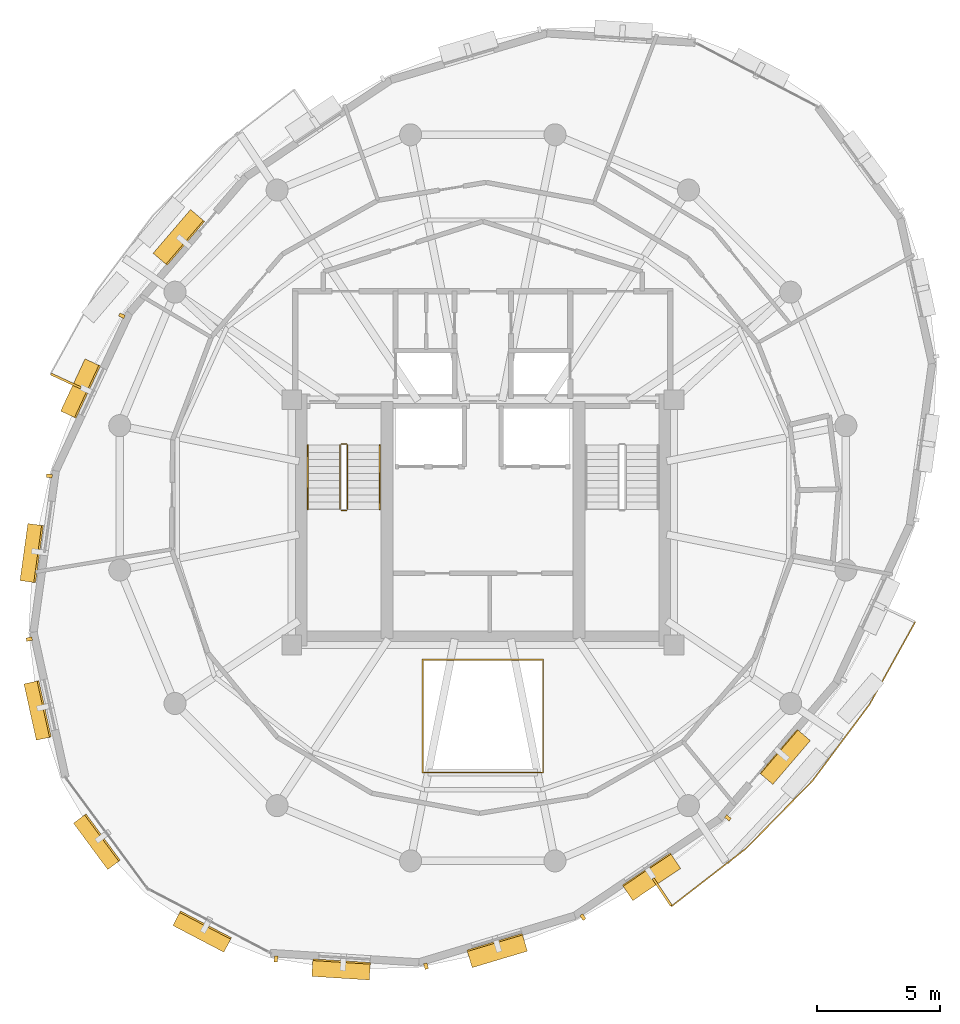
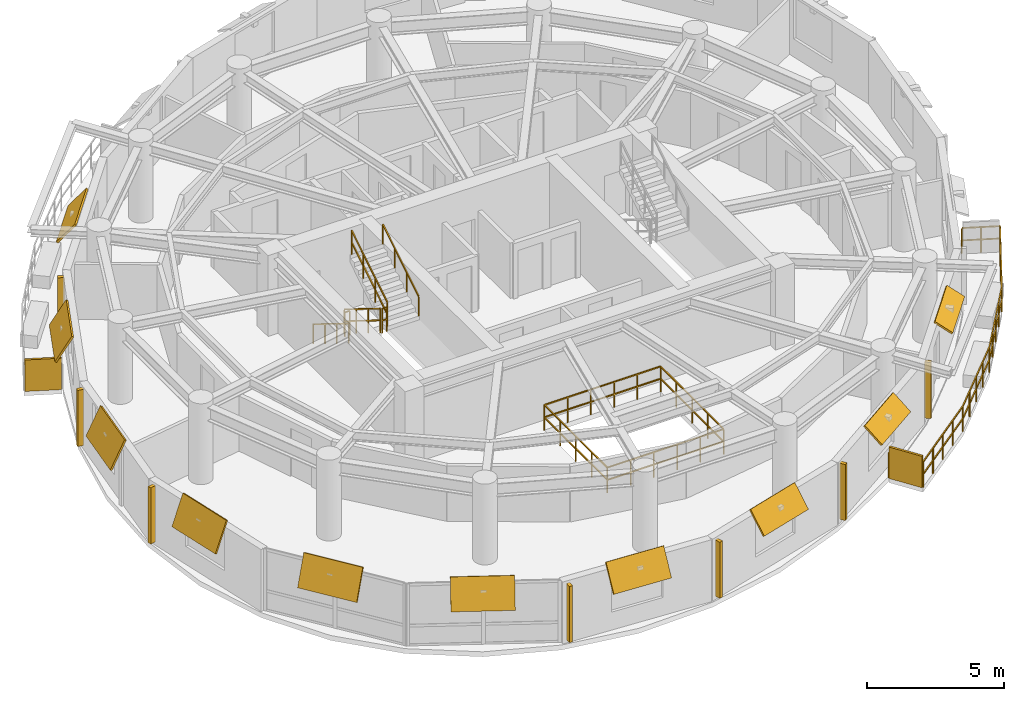
# One storey, part 10 of 11: 19 shading devices, 8 railings.
"""IFC4 building model written with IfcOpenShell, lengths in metres."""

from ifc_helpers import new_model, si_unit, direction, frame, origin, origin_2d, place, context, subcontext, project, spatial, rectangle, extrude, material, layer, layer_set, type_object, element, save


model = new_model("IFC4")

# Units and contexts
model_context = context("Model", 3, precision=1e-05, world=origin(), true_north=direction((0.0, 1.0)))
body_context = subcontext(model_context, "Body", "Model", "MODEL_VIEW")
ifc_project = project(units=[si_unit("LENGTHUNIT", "METRE"), si_unit("AREAUNIT", "SQUARE_METRE"), si_unit("VOLUMEUNIT", "CUBIC_METRE"), si_unit("PLANEANGLEUNIT", "RADIAN"), si_unit("MASSUNIT", "GRAM", prefix="KILO"), si_unit("THERMODYNAMICTEMPERATUREUNIT", "KELVIN"), si_unit("POWERUNIT", "WATT")], contexts=[model_context])

# Site, building, storey
site_placement = place(None, origin())
site = spatial("IfcSite", under=ifc_project, at=site_placement, CompositionType="ELEMENT")
building_placement = place(site_placement, origin())
building = spatial("IfcBuilding", under=site, at=building_placement, Name="Ocrelia Relay Tower", CompositionType="ELEMENT")
storey_placement = place(building_placement, frame((0.0, 0.0, 237.60009765625)))
storey = spatial("IfcBuildingStorey", under=building, at=storey_placement, Name="L58", CompositionType="ELEMENT", Elevation=237.60009765625)

# Railings
ifc_material_1 = material(Name="Steel S355 balustrade", Category="steel")
railing_type_1 = type_object("IfcRailingType", Name="RL-EXT-GUARD-1150", PredefinedType="GUARDRAIL", material=ifc_material_1)
railing_1_placement = place(storey_placement, frame((50.375732421875, 21.524658203125, 0.0)))
element("IfcRailing", 1, at=railing_1_placement, inside=storey, type_object=railing_type_1, Name="L58 Loggia Balcony Guard Rail B2", PredefinedType="GUARDRAIL", context=body_context, shape_type="SweptSolid", body=[
    extrude(rectangle(XDim=0.048095703125, YDim=0.048095703125, at=origin_2d()), frame((0.0, 0.0, 1.1259765625), z_axis=(0.906884645291, -0.421378974483, 0.0), x_axis=(0.421378974483, 0.906884645291, 0.0)), (0.0, 0.0, 1.0), 1.393310546875),
    extrude(rectangle(XDim=0.048095703125, YDim=0.048095703125, at=origin_2d()), frame((0.0, 0.0, 0.574951171875), z_axis=(0.906884645291, -0.421378974483, 0.0), x_axis=(0.421378974483, 0.906884645291, 0.0)), (0.0, 0.0, 1.0), 1.393310546875),
    extrude(rectangle(XDim=0.048095703125, YDim=0.048095703125, at=origin_2d()), frame((1.263671875, -0.587158203125, 1.1259765625), z_axis=(-0.484195988909, -0.874959567251, 0.0), x_axis=(0.874959567251, -0.484195988909, 0.0)), (0.0, 0.0, 1.0), 1.920654296875),
    extrude(rectangle(XDim=0.048095703125, YDim=0.048095703125, at=origin_2d()), frame((1.263671875, -0.587158203125, 0.574951171875), z_axis=(-0.484195988909, -0.874959567251, 0.0), x_axis=(0.874959567251, -0.484195988909, 0.0)), (0.0, 0.0, 1.0), 1.920654296875),
    extrude(rectangle(XDim=0.048095703125, YDim=0.048095703125, at=origin_2d()), frame((0.333740234375, -2.267578125, 1.1259765625), z_axis=(-0.484239443061, -0.874935518644, 0.0), x_axis=(0.874935518644, -0.484239443061, 0.0)), (0.0, 0.0, 1.0), 1.9208984375),
    extrude(rectangle(XDim=0.048095703125, YDim=0.048095703125, at=origin_2d()), frame((0.333740234375, -2.267578125, 0.574951171875), z_axis=(-0.484239443061, -0.874935518644, 0.0), x_axis=(0.874935518644, -0.484239443061, 0.0)), (0.0, 0.0, 1.0), 1.9208984375),
    extrude(rectangle(XDim=0.048095703125, YDim=0.048095703125, at=origin_2d()), frame((-0.596435546875, -3.9482421875, 1.1259765625), z_axis=(-0.598338229352, -0.801243635417, 0.0), x_axis=(0.801243635417, -0.598338229352, 0.0)), (0.0, 0.0, 1.0), 3.881591796875),
    extrude(rectangle(XDim=0.048095703125, YDim=0.048095703125, at=origin_2d()), frame((-0.596435546875, -3.9482421875, 0.574951171875), z_axis=(-0.598338229352, -0.801243635417, 0.0), x_axis=(0.801243635417, -0.598338229352, 0.0)), (0.0, 0.0, 1.0), 3.881591796875),
    extrude(rectangle(XDim=0.048095703125, YDim=0.048095703125, at=origin_2d()), frame((-2.9189453125, -7.058349609375, 1.1259765625), z_axis=(-0.700282021228, -0.713866297527, 0.0), x_axis=(0.713866297527, -0.700282021228, 0.0)), (0.0, 0.0, 1.0), 3.882080078125),
    extrude(rectangle(XDim=0.048095703125, YDim=0.048095703125, at=origin_2d()), frame((-2.9189453125, -7.058349609375, 0.574951171875), z_axis=(-0.700282021228, -0.713866297527, 0.0), x_axis=(0.713866297527, -0.700282021228, 0.0)), (0.0, 0.0, 1.0), 3.882080078125),
    extrude(rectangle(XDim=0.048095703125, YDim=0.048095703125, at=origin_2d()), frame((-5.637451171875, -9.82958984375, 1.1259765625), z_axis=(-0.790521208436, -0.612434665098, 0.0), x_axis=(0.612434665098, -0.790521208436, 0.0)), (0.0, 0.0, 1.0), 1.920654296875),
    extrude(rectangle(XDim=0.048095703125, YDim=0.048095703125, at=origin_2d()), frame((-5.637451171875, -9.82958984375, 0.574951171875), z_axis=(-0.790521208436, -0.612434665098, 0.0), x_axis=(0.612434665098, -0.790521208436, 0.0)), (0.0, 0.0, 1.0), 1.920654296875),
    extrude(rectangle(XDim=0.048095703125, YDim=0.048095703125, at=origin_2d()), frame((-7.15576171875, -11.005859375, 1.1259765625), z_axis=(-0.790630412027, -0.612293680825, 0.0), x_axis=(0.612293680825, -0.790630412027, 0.0)), (0.0, 0.0, 1.0), 1.920654296875),
    extrude(rectangle(XDim=0.048095703125, YDim=0.048095703125, at=origin_2d()), frame((-7.15576171875, -11.005859375, 0.574951171875), z_axis=(-0.790630412027, -0.612293680825, 0.0), x_axis=(0.612293680825, -0.790630412027, 0.0)), (0.0, 0.0, 1.0), 1.920654296875),
    extrude(rectangle(XDim=0.048095703125, YDim=0.048095703125, at=origin_2d()), frame((-8.67431640625, -12.181884765625, 1.1259765625), z_axis=(-0.555225701546, 0.831699717652, 0.0), x_axis=(-0.831699717652, -0.555225701546, 0.0)), (0.0, 0.0, 1.0), 1.3935546875),
    extrude(rectangle(XDim=0.048095703125, YDim=0.048095703125, at=origin_2d()), frame((-8.67431640625, -12.181884765625, 0.574951171875), z_axis=(-0.555225701546, 0.831699717652, 0.0), x_axis=(-0.831699717652, -0.555225701546, 0.0)), (0.0, 0.0, 1.0), 1.3935546875),
    extrude(rectangle(XDim=0.0419921875, YDim=0.0419921875, at=origin_2d()), origin(), (0.0, 0.0, 1.0), 1.101806640625),
    extrude(rectangle(XDim=0.0419921875, YDim=0.0419921875, at=origin_2d()), frame((0.6318359375, -0.29345703125, 0.0)), (0.0, 0.0, 1.0), 1.101806640625),
    extrude(rectangle(XDim=0.0419921875, YDim=0.0419921875, at=origin_2d()), frame((1.263671875, -0.587158203125, 0.0)), (0.0, 0.0, 1.0), 1.101806640625),
    extrude(rectangle(XDim=0.0419921875, YDim=0.0419921875, at=origin_2d()), frame((0.798828125, -1.42724609375, 0.0)), (0.0, 0.0, 1.0), 1.101806640625),
    extrude(rectangle(XDim=0.0419921875, YDim=0.0419921875, at=origin_2d()), frame((0.333740234375, -2.267578125, 0.0)), (0.0, 0.0, 1.0), 1.101806640625),
    extrude(rectangle(XDim=0.0419921875, YDim=0.0419921875, at=origin_2d()), frame((-0.13134765625, -3.10791015625, 0.0)), (0.0, 0.0, 1.0), 1.101806640625),
    extrude(rectangle(XDim=0.0419921875, YDim=0.0419921875, at=origin_2d()), frame((-0.596435546875, -3.9482421875, 0.0)), (0.0, 0.0, 1.0), 1.101806640625),
    extrude(rectangle(XDim=0.0419921875, YDim=0.0419921875, at=origin_2d()), frame((-1.177001953125, -4.725830078125, 0.0)), (0.0, 0.0, 1.0), 1.101806640625),
    extrude(rectangle(XDim=0.0419921875, YDim=0.0419921875, at=origin_2d()), frame((-1.7578125, -5.50341796875, 0.0)), (0.0, 0.0, 1.0), 1.101806640625),
    extrude(rectangle(XDim=0.0419921875, YDim=0.0419921875, at=origin_2d()), frame((-2.33837890625, -6.28076171875, 0.0)), (0.0, 0.0, 1.0), 1.101806640625),
    extrude(rectangle(XDim=0.0419921875, YDim=0.0419921875, at=origin_2d()), frame((-2.9189453125, -7.058349609375, 0.0)), (0.0, 0.0, 1.0), 1.101806640625),
    extrude(rectangle(XDim=0.0419921875, YDim=0.0419921875, at=origin_2d()), frame((-3.5986328125, -7.751220703125, 0.0)), (0.0, 0.0, 1.0), 1.101806640625),
    extrude(rectangle(XDim=0.0419921875, YDim=0.0419921875, at=origin_2d()), frame((-4.2783203125, -8.44384765625, 0.0)), (0.0, 0.0, 1.0), 1.101806640625),
    extrude(rectangle(XDim=0.0419921875, YDim=0.0419921875, at=origin_2d()), frame((-4.957763671875, -9.13671875, 0.0)), (0.0, 0.0, 1.0), 1.101806640625),
    extrude(rectangle(XDim=0.0419921875, YDim=0.0419921875, at=origin_2d()), frame((-5.637451171875, -9.82958984375, 0.0)), (0.0, 0.0, 1.0), 1.101806640625),
    extrude(rectangle(XDim=0.0419921875, YDim=0.0419921875, at=origin_2d()), frame((-6.396484375, -10.417724609375, 0.0)), (0.0, 0.0, 1.0), 1.101806640625),
    extrude(rectangle(XDim=0.0419921875, YDim=0.0419921875, at=origin_2d()), frame((-7.15576171875, -11.005859375, 0.0)), (0.0, 0.0, 1.0), 1.101806640625),
    extrude(rectangle(XDim=0.0419921875, YDim=0.0419921875, at=origin_2d()), frame((-7.9150390625, -11.59375, 0.0)), (0.0, 0.0, 1.0), 1.101806640625),
    extrude(rectangle(XDim=0.0419921875, YDim=0.0419921875, at=origin_2d()), frame((-8.67431640625, -12.181884765625, 0.0)), (0.0, 0.0, 1.0), 1.101806640625),
    extrude(rectangle(XDim=0.0419921875, YDim=0.0419921875, at=origin_2d()), frame((-9.06103515625, -11.6025390625, 0.0)), (0.0, 0.0, 1.0), 1.101806640625),
    extrude(rectangle(XDim=0.0419921875, YDim=0.0419921875, at=origin_2d()), frame((-9.447998046875, -11.02294921875, 0.0)), (0.0, 0.0, 1.0), 1.101806640625),
])
ifc_material_2 = material(Name="Steel S355 atrium balustrade", Category="steel")
railing_type_2 = type_object("IfcRailingType", Name="RL-INT-GUARD-115", PredefinedType="GUARDRAIL", material=ifc_material_2)
railing_2_placement = place(storey_placement, frame((31.550048828125, 14.800048828125, 0.0)))
element("IfcRailing", 2, at=railing_2_placement, inside=storey, type_object=railing_type_2, Name="L58 Multi-Zone Interior Atrium Guard", PredefinedType="GUARDRAIL", context=body_context, shape_type="SweptSolid", body=[
    extrude(rectangle(XDim=0.048095703125, YDim=0.048095703125, at=origin_2d()), frame((0.0, 0.0, 1.1259765625), z_axis=(1.0, 0.0, 0.0), x_axis=(0.0, 1.0, 0.0)), (0.0, 0.0, 1.0), 4.89990234375),
    extrude(rectangle(XDim=0.048095703125, YDim=0.048095703125, at=origin_2d()), frame((0.0, 0.0, 0.574951171875), z_axis=(1.0, 0.0, 0.0), x_axis=(0.0, 1.0, 0.0)), (0.0, 0.0, 1.0), 4.89990234375),
    extrude(rectangle(XDim=0.048095703125, YDim=0.048095703125, at=origin_2d()), frame((4.89990234375, 0.0, 1.1259765625), z_axis=(0.0, 1.0, 0.0), x_axis=(-1.0, 0.0, 0.0)), (0.0, 0.0, 1.0), 4.599853515625),
    extrude(rectangle(XDim=0.048095703125, YDim=0.048095703125, at=origin_2d()), frame((4.89990234375, 0.0, 0.574951171875), z_axis=(0.0, 1.0, 0.0), x_axis=(-1.0, 0.0, 0.0)), (0.0, 0.0, 1.0), 4.599853515625),
    extrude(rectangle(XDim=0.048095703125, YDim=0.048095703125, at=origin_2d()), frame((4.89990234375, 4.599853515625, 1.1259765625), z_axis=(-1.0, 0.0, 0.0), x_axis=(0.0, -1.0, 0.0)), (0.0, 0.0, 1.0), 4.89990234375),
    extrude(rectangle(XDim=0.048095703125, YDim=0.048095703125, at=origin_2d()), frame((4.89990234375, 4.599853515625, 0.574951171875), z_axis=(-1.0, 0.0, 0.0), x_axis=(0.0, -1.0, 0.0)), (0.0, 0.0, 1.0), 4.89990234375),
    extrude(rectangle(XDim=0.048095703125, YDim=0.048095703125, at=origin_2d()), frame((0.0, 4.599853515625, 1.1259765625), z_axis=(0.0, -1.0, 0.0), x_axis=(1.0, 0.0, 0.0)), (0.0, 0.0, 1.0), 4.599853515625),
    extrude(rectangle(XDim=0.048095703125, YDim=0.048095703125, at=origin_2d()), frame((0.0, 4.599853515625, 0.574951171875), z_axis=(0.0, -1.0, 0.0), x_axis=(1.0, 0.0, 0.0)), (0.0, 0.0, 1.0), 4.599853515625),
    extrude(rectangle(XDim=0.0419921875, YDim=0.0419921875, at=origin_2d()), origin(), (0.0, 0.0, 1.0), 1.101806640625),
    extrude(rectangle(XDim=0.0419921875, YDim=0.0419921875, at=origin_2d()), frame((0.97998046875, 0.0, 0.0)), (0.0, 0.0, 1.0), 1.101806640625),
    extrude(rectangle(XDim=0.0419921875, YDim=0.0419921875, at=origin_2d()), frame((1.9599609375, 0.0, 0.0)), (0.0, 0.0, 1.0), 1.101806640625),
    extrude(rectangle(XDim=0.0419921875, YDim=0.0419921875, at=origin_2d()), frame((2.93994140625, 0.0, 0.0)), (0.0, 0.0, 1.0), 1.101806640625),
    extrude(rectangle(XDim=0.0419921875, YDim=0.0419921875, at=origin_2d()), frame((3.919921875, 0.0, 0.0)), (0.0, 0.0, 1.0), 1.101806640625),
    extrude(rectangle(XDim=0.0419921875, YDim=0.0419921875, at=origin_2d()), frame((4.89990234375, 0.0, 0.0)), (0.0, 0.0, 1.0), 1.101806640625),
    extrude(rectangle(XDim=0.0419921875, YDim=0.0419921875, at=origin_2d()), frame((4.89990234375, 1.14990234375, 0.0)), (0.0, 0.0, 1.0), 1.101806640625),
    extrude(rectangle(XDim=0.0419921875, YDim=0.0419921875, at=origin_2d()), frame((4.89990234375, 2.2998046875, 0.0)), (0.0, 0.0, 1.0), 1.101806640625),
    extrude(rectangle(XDim=0.0419921875, YDim=0.0419921875, at=origin_2d()), frame((4.89990234375, 3.449951171875, 0.0)), (0.0, 0.0, 1.0), 1.101806640625),
    extrude(rectangle(XDim=0.0419921875, YDim=0.0419921875, at=origin_2d()), frame((4.89990234375, 4.599853515625, 0.0)), (0.0, 0.0, 1.0), 1.101806640625),
    extrude(rectangle(XDim=0.0419921875, YDim=0.0419921875, at=origin_2d()), frame((3.919921875, 4.599853515625, 0.0)), (0.0, 0.0, 1.0), 1.101806640625),
    extrude(rectangle(XDim=0.0419921875, YDim=0.0419921875, at=origin_2d()), frame((2.93994140625, 4.599853515625, 0.0)), (0.0, 0.0, 1.0), 1.101806640625),
    extrude(rectangle(XDim=0.0419921875, YDim=0.0419921875, at=origin_2d()), frame((1.9599609375, 4.599853515625, 0.0)), (0.0, 0.0, 1.0), 1.101806640625),
    extrude(rectangle(XDim=0.0419921875, YDim=0.0419921875, at=origin_2d()), frame((0.97998046875, 4.599853515625, 0.0)), (0.0, 0.0, 1.0), 1.101806640625),
    extrude(rectangle(XDim=0.0419921875, YDim=0.0419921875, at=origin_2d()), frame((0.0, 4.599853515625, 0.0)), (0.0, 0.0, 1.0), 1.101806640625),
    extrude(rectangle(XDim=0.0419921875, YDim=0.0419921875, at=origin_2d()), frame((0.0, 3.449951171875, 0.0)), (0.0, 0.0, 1.0), 1.101806640625),
    extrude(rectangle(XDim=0.0419921875, YDim=0.0419921875, at=origin_2d()), frame((0.0, 2.2998046875, 0.0)), (0.0, 0.0, 1.0), 1.101806640625),
    extrude(rectangle(XDim=0.0419921875, YDim=0.0419921875, at=origin_2d()), frame((0.0, 1.14990234375, 0.0)), (0.0, 0.0, 1.0), 1.101806640625),
])
railing_type_3 = type_object("IfcRailingType", Name="RL-STAIR-GUARD", PredefinedType="GUARDRAIL", material=ifc_material_1)
railing_3_placement = place(storey_placement, frame((28.179931640625, 28.14990234375, 0.179931640625)))
element("IfcRailing", 3, at=railing_3_placement, inside=storey, type_object=railing_type_3, Name="L58 ST1 stair guard 1", PredefinedType="GUARDRAIL", context=body_context, shape_type="SweptSolid", body=[
    extrude(rectangle(XDim=0.048095703125, YDim=0.048095703125, at=origin_2d()), frame((0.0, 0.0, 1.076171875), z_axis=(0.0, -0.849646306263, 0.527352969322), x_axis=(1.0, 0.0, 0.0)), (0.0, 0.0, 1.0), 3.07177734375),
    extrude(rectangle(XDim=0.048095703125, YDim=0.048095703125, at=origin_2d()), frame((0.0, 0.0, 0.550048828125), z_axis=(0.0, -0.849646306263, 0.527352969322), x_axis=(1.0, 0.0, 0.0)), (0.0, 0.0, 1.0), 3.07177734375),
    extrude(rectangle(XDim=0.0419921875, YDim=0.0419921875, at=origin_2d()), origin(), (0.0, 0.0, 1.0), 1.052001953125),
    extrude(rectangle(XDim=0.0419921875, YDim=0.0419921875, at=origin_2d()), frame((0.0, -0.869873046875, 0.5400390625)), (0.0, 0.0, 1.0), 1.052001953125),
    extrude(rectangle(XDim=0.0419921875, YDim=0.0419921875, at=origin_2d()), frame((0.0, -1.739990234375, 1.079833984375)), (0.0, 0.0, 1.0), 1.052001953125),
    extrude(rectangle(XDim=0.0419921875, YDim=0.0419921875, at=origin_2d()), frame((0.0, -2.60986328125, 1.619873046875)), (0.0, 0.0, 1.0), 1.052001953125),
])
railing_4_placement = place(storey_placement, frame((28.22998046875, 25.489990234375, 1.7998046875)))
element("IfcRailing", 4, at=railing_4_placement, inside=storey, type_object=railing_type_3, Name="L58 ST1 stair guard 2", PredefinedType="GUARDRAIL", context=body_context, shape_type="SweptSolid", body=[
    extrude(rectangle(XDim=0.048095703125, YDim=0.048095703125, at=origin_2d()), frame((0.0, 0.0, 1.076171875), z_axis=(1.0, 0.0, 0.0), x_axis=(0.0, 1.0, 0.0)), (0.0, 0.0, 1.0), 0.199951171875),
    extrude(rectangle(XDim=0.048095703125, YDim=0.048095703125, at=origin_2d()), frame((0.0, 0.0, 0.550048828125), z_axis=(1.0, 0.0, 0.0), x_axis=(0.0, 1.0, 0.0)), (0.0, 0.0, 1.0), 0.199951171875),
    extrude(rectangle(XDim=0.0419921875, YDim=0.0419921875, at=origin_2d()), origin(), (0.0, 0.0, 1.0), 1.052001953125),
    extrude(rectangle(XDim=0.0419921875, YDim=0.0419921875, at=origin_2d()), frame((0.199951171875, 0.0, 0.0)), (0.0, 0.0, 1.0), 1.052001953125),
])
railing_5_placement = place(storey_placement, frame((28.47998046875, 25.5400390625, 1.97998046875)))
element("IfcRailing", 5, at=railing_5_placement, inside=storey, type_object=railing_type_3, Name="L58 ST1 stair guard 3", PredefinedType="GUARDRAIL", context=body_context, shape_type="SweptSolid", body=[
    extrude(rectangle(XDim=0.048095703125, YDim=0.048095703125, at=origin_2d()), frame((0.0, 0.0, 1.076171875), z_axis=(0.0, 0.849646306263, 0.527352969322), x_axis=(-1.0, 0.0, 0.0)), (0.0, 0.0, 1.0), 3.07177734375),
    extrude(rectangle(XDim=0.048095703125, YDim=0.048095703125, at=origin_2d()), frame((0.0, 0.0, 0.550048828125), z_axis=(0.0, 0.849646306263, 0.527352969322), x_axis=(-1.0, 0.0, 0.0)), (0.0, 0.0, 1.0), 3.07177734375),
    extrude(rectangle(XDim=0.0419921875, YDim=0.0419921875, at=origin_2d()), origin(), (0.0, 0.0, 1.0), 1.052001953125),
    extrude(rectangle(XDim=0.0419921875, YDim=0.0419921875, at=origin_2d()), frame((0.0, 0.869873046875, 0.5400390625)), (0.0, 0.0, 1.0), 1.052001953125),
    extrude(rectangle(XDim=0.0419921875, YDim=0.0419921875, at=origin_2d()), frame((0.0, 1.739990234375, 1.079833984375)), (0.0, 0.0, 1.0), 1.052001953125),
    extrude(rectangle(XDim=0.0419921875, YDim=0.0419921875, at=origin_2d()), frame((0.0, 2.60986328125, 1.619873046875)), (0.0, 0.0, 1.0), 1.052001953125),
])
railing_6_placement = place(storey_placement, frame((28.22998046875, 28.199951171875, 0.0)))
element("IfcRailing", 6, at=railing_6_placement, inside=storey, type_object=railing_type_3, Name="L58 ST1 stair guard 4", PredefinedType="GUARDRAIL", context=body_context, shape_type="SweptSolid", body=[
    extrude(rectangle(XDim=0.048095703125, YDim=0.048095703125, at=origin_2d()), frame((0.0, 0.0, 1.076171875), z_axis=(1.0, 0.0, 0.0), x_axis=(0.0, 1.0, 0.0)), (0.0, 0.0, 1.0), 0.199951171875),
    extrude(rectangle(XDim=0.048095703125, YDim=0.048095703125, at=origin_2d()), frame((0.0, 0.0, 0.550048828125), z_axis=(1.0, 0.0, 0.0), x_axis=(0.0, 1.0, 0.0)), (0.0, 0.0, 1.0), 0.199951171875),
    extrude(rectangle(XDim=0.0419921875, YDim=0.0419921875, at=origin_2d()), origin(), (0.0, 0.0, 1.0), 1.052001953125),
    extrude(rectangle(XDim=0.0419921875, YDim=0.0419921875, at=origin_2d()), frame((0.199951171875, 0.0, 0.0)), (0.0, 0.0, 1.0), 1.052001953125),
])
ifc_material_3 = material(Name="Steel S355 tubular handrail", Category="steel")
railing_type_4 = type_object("IfcRailingType", Name="RL-STAIR-HAND", PredefinedType="HANDRAIL", material=ifc_material_3)
railing_7_placement = place(storey_placement, frame((26.860107421875, 28.14990234375, 0.179931640625)))
element("IfcRailing", 7, at=railing_7_placement, inside=storey, type_object=railing_type_4, Name="L58 ST1 stair handrail 1", PredefinedType="HANDRAIL", context=body_context, shape_type="SweptSolid", body=[
    extrude(rectangle(XDim=0.048095703125, YDim=0.048095703125, at=origin_2d()), frame((0.0, 0.0, 0.8759765625), z_axis=(0.0, -0.849646306263, 0.527352969322), x_axis=(1.0, 0.0, 0.0)), (0.0, 0.0, 1.0), 3.07177734375),
    extrude(rectangle(XDim=0.0419921875, YDim=0.0419921875, at=origin_2d()), origin(), (0.0, 0.0, 1.0), 0.851806640625),
    extrude(rectangle(XDim=0.0419921875, YDim=0.0419921875, at=origin_2d()), frame((0.0, -0.869873046875, 0.5400390625)), (0.0, 0.0, 1.0), 0.851806640625),
    extrude(rectangle(XDim=0.0419921875, YDim=0.0419921875, at=origin_2d()), frame((0.0, -1.739990234375, 1.079833984375)), (0.0, 0.0, 1.0), 0.851806640625),
    extrude(rectangle(XDim=0.0419921875, YDim=0.0419921875, at=origin_2d()), frame((0.0, -2.60986328125, 1.619873046875)), (0.0, 0.0, 1.0), 0.851806640625),
])
railing_8_placement = place(storey_placement, frame((29.800048828125, 25.5400390625, 1.97998046875)))
element("IfcRailing", 8, at=railing_8_placement, inside=storey, type_object=railing_type_4, Name="L58 ST1 stair handrail 2", PredefinedType="HANDRAIL", context=body_context, shape_type="SweptSolid", body=[
    extrude(rectangle(XDim=0.048095703125, YDim=0.048095703125, at=origin_2d()), frame((0.0, 0.0, 0.8759765625), z_axis=(0.0, 0.849646306263, 0.527352969322), x_axis=(-1.0, 0.0, 0.0)), (0.0, 0.0, 1.0), 3.07177734375),
    extrude(rectangle(XDim=0.0419921875, YDim=0.0419921875, at=origin_2d()), origin(), (0.0, 0.0, 1.0), 0.851806640625),
    extrude(rectangle(XDim=0.0419921875, YDim=0.0419921875, at=origin_2d()), frame((0.0, 0.869873046875, 0.5400390625)), (0.0, 0.0, 1.0), 0.851806640625),
    extrude(rectangle(XDim=0.0419921875, YDim=0.0419921875, at=origin_2d()), frame((0.0, 1.739990234375, 1.079833984375)), (0.0, 0.0, 1.0), 0.851806640625),
    extrude(rectangle(XDim=0.0419921875, YDim=0.0419921875, at=origin_2d()), frame((0.0, 2.60986328125, 1.619873046875)), (0.0, 0.0, 1.0), 0.851806640625),
])

# Shading devices
ifc_material_4 = material(Name="Perforated oxide terracotta solar screen", Category="masonry")
ifc_layer_1 = layer(ifc_material_4, 0.090087890625, Name="Perforated oxide terracotta solar screen")
ifc_layer_set_1 = layer_set([ifc_layer_1], Name="Perforated oxide terracotta solar screen")
shading_device_type_1 = type_object("IfcShadingDeviceType", Name="SH-BALC-SCREEN", PredefinedType="USERDEFINED", material=ifc_layer_set_1)
for number, where, z_axis, x_axis, name in (
    (9, (16.992431640625, 30.768798828125, 0.0), (0.0, 0.0, 1.0), (-0.90690419026, 0.421336907579, 0.0), "L58 Balcony Perforated Terracotta Screen B1-2"),
    (10, (41.314453125, 9.92236328125, 0.0), (0.0, 0.0, 1.0), (0.555081030068, -0.831796279181, 0.0), "L58 Balcony Perforated Terracotta Screen B2-1"),
):
    element("IfcShadingDevice", number, at=place(storey_placement, frame(where, z_axis=z_axis, x_axis=x_axis)), inside=storey, type_object=shading_device_type_1, Name=name, ObjectType="SCREEN", PredefinedType="USERDEFINED", context=body_context, shape_type="SweptSolid", body=[
        extrude(rectangle(XDim=1.340087890625, YDim=0.090087890625, at=origin_2d()), origin(), (0.0, 0.0, 1.0), 1.39990234375),
    ])
ifc_material_5 = material(Name="Extruded oxide terracotta vertical baguette", Category="masonry")
shading_device_type_2 = type_object("IfcShadingDeviceType", Name="SH-TERR-BAGUETTE", PredefinedType="USERDEFINED", material=ifc_material_5)
for number, where, z_axis, x_axis, name in (
    (11, (19.2783203125, 33.42919921875, 0.1298828125), (0.0, 0.0, 1.0), (-0.42275697085, -0.906243092993, 0.0), "L58 Oxide Terracotta Vertical Baguette 06"),
    (12, (16.319580078125, 26.89501953125, 0.1298828125), (0.0, 0.0, 1.0), (-0.136515654757, -0.990637913673, 0.0), "L58 Oxide Terracotta Vertical Baguette 07"),
    (13, (15.50048828125, 20.236572265625, 0.1298828125), (0.0, 0.0, 1.0), (0.215050599769, -0.976602907808, 0.0), "L58 Oxide Terracotta Vertical Baguette 08"),
    (14, (25.56396484375, 7.188720703125, 0.1298828125), (0.0, 0.0, 1.0), (0.998007191825, -0.063100277851, 0.0), "L58 Oxide Terracotta Vertical Baguette 11"),
    (15, (31.684326171875, 6.8994140625, 0.1298828125), (0.0, 0.0, 1.0), (0.958092683106, 0.286458392405, 0.0), "L58 Oxide Terracotta Vertical Baguette 12"),
    (16, (38.080810546875, 8.896240234375, 0.1298828125), (0.0, 0.0, 1.0), (0.83090253569, 0.556417986934, 0.0), "L58 Oxide Terracotta Vertical Baguette 13"),
    (17, (43.99609375, 12.9453125, 0.1298828125), (0.0, 0.0, 1.0), (0.650774435934, 0.759271119914, 0.0), "L58 Oxide Terracotta Vertical Baguette 14"),
):
    element("IfcShadingDevice", number, at=place(storey_placement, frame(where, z_axis=z_axis, x_axis=x_axis)), inside=storey, type_object=shading_device_type_2, Name=name, ObjectType="BAGUETTE", PredefinedType="USERDEFINED", context=body_context, shape_type="SweptSolid", body=[
        extrude(rectangle(XDim=0.139892578125, YDim=0.239990234375, at=origin_2d()), origin(), (0.0, 0.0, 1.0), 2.5),
    ])
ifc_material_6 = material(Name="Extruded oxide terracotta fin", Category="masonry")
ifc_layer_2 = layer(ifc_material_6, 0.080078125, Name="Extruded oxide terracotta fin")
ifc_layer_set_2 = layer_set([ifc_layer_2], Name="Extruded oxide terracotta fin")
shading_device_type_3 = type_object("IfcShadingDeviceType", Name="SH-VISOR-FIN-DEEP", PredefinedType="USERDEFINED", material=ifc_layer_set_2)
shading_device_1_placement = place(storey_placement, frame((17.622314453125, 30.445068359375, 2.580078125), z_axis=(-0.787426301388, 0.367329649756, 0.495003786139), x_axis=(-0.42275697085, -0.906243092993, 0.0)))
element("IfcShadingDevice", 18, at=shading_device_1_placement, inside=storey, type_object=shading_device_type_3, Name="L58 Canted Terracotta Sun-Visor Fin 06", ObjectType="FIN", PredefinedType="USERDEFINED", context=body_context, shape_type="SweptSolid", body=[
    extrude(rectangle(XDim=2.35009765625, YDim=1.2548828125, at=origin_2d()), origin(), (0.0, 0.0, 1.0), 0.080078125),
])
shading_device_2_placement = place(storey_placement, frame((15.63427734375, 23.7412109375, 2.582763671875), z_axis=(-0.896503162448, 0.123543339624, 0.425463421407), x_axis=(-0.136515654757, -0.990637913673, 0.0)))
element("IfcShadingDevice", 19, at=shading_device_2_placement, inside=storey, type_object=shading_device_type_3, Name="L58 Canted Terracotta Sun-Visor Fin 07", ObjectType="FIN", PredefinedType="USERDEFINED", context=body_context, shape_type="SweptSolid", body=[
    extrude(rectangle(XDim=2.35009765625, YDim=1.330078125, at=origin_2d()), origin(), (0.0, 0.0, 1.0), 0.080078125),
])
shading_device_3_placement = place(storey_placement, frame((15.875244140625, 17.33642578125, 2.58349609375), z_axis=(-0.892171150349, -0.196458498582, 0.406736643076), x_axis=(0.215050599769, -0.976602907808, 0.0)))
element("IfcShadingDevice", 20, at=shading_device_3_placement, inside=storey, type_object=shading_device_type_3, Name="L58 Canted Terracotta Sun-Visor Fin 08", ObjectType="FIN", PredefinedType="USERDEFINED", context=body_context, shape_type="SweptSolid", body=[
    extrude(rectangle(XDim=2.35009765625, YDim=1.35009765625, at=origin_2d()), origin(), (0.0, 0.0, 1.0), 0.080078125),
])
shading_device_4_placement = place(storey_placement, frame((18.286376953125, 11.99462890625, 2.5830078125), z_axis=(-0.728980378219, -0.538375049069, 0.422776435852), x_axis=(0.594079500089, -0.804406332381, 0.0)))
element("IfcShadingDevice", 21, at=shading_device_4_placement, inside=storey, type_object=shading_device_type_3, Name="L58 Canted Terracotta Sun-Visor Fin 09", ObjectType="FIN", PredefinedType="USERDEFINED", context=body_context, shape_type="SweptSolid", body=[
    extrude(rectangle(XDim=2.35009765625, YDim=1.3330078125, at=origin_2d()), origin(), (0.0, 0.0, 1.0), 0.080078125),
])
shading_device_5_placement = place(storey_placement, frame((22.569580078125, 8.33837890625, 2.581298828125), z_axis=(-0.410957527466, -0.784516807076, 0.464378391008), x_axis=(0.885822182223, -0.46402485007, 0.0)))
element("IfcShadingDevice", 22, at=shading_device_5_placement, inside=storey, type_object=shading_device_type_3, Name="L58 Canted Terracotta Sun-Visor Fin 10", ObjectType="FIN", PredefinedType="USERDEFINED", context=body_context, shape_type="SweptSolid", body=[
    extrude(rectangle(XDim=2.35009765625, YDim=1.2890625, at=origin_2d()), origin(), (0.0, 0.0, 1.0), 0.080078125),
])
shading_device_6_placement = place(storey_placement, frame((28.221923828125, 6.796630859375, 2.57861328125), z_axis=(-0.053494555041, -0.84608107083, 0.530363228518), x_axis=(0.998007191825, -0.063100277851, 0.0)))
element("IfcShadingDevice", 23, at=shading_device_6_placement, inside=storey, type_object=shading_device_type_3, Name="L58 Canted Terracotta Sun-Visor Fin 11", ObjectType="FIN", PredefinedType="USERDEFINED", context=body_context, shape_type="SweptSolid", body=[
    extrude(rectangle(XDim=2.35009765625, YDim=1.216064453125, at=origin_2d()), origin(), (0.0, 0.0, 1.0), 0.080078125),
])
ifc_layer_3 = layer(ifc_material_6, 0.080078125, Name="Extruded oxide terracotta fin")
ifc_layer_set_3 = layer_set([ifc_layer_3], Name="Extruded oxide terracotta fin")
shading_device_type_4 = type_object("IfcShadingDeviceType", Name="SH-VISOR-FIN-MED", PredefinedType="USERDEFINED", material=ifc_layer_set_3)
shading_device_7_placement = place(storey_placement, frame((21.626708984375, 36.60498046875, 2.5751953125), z_axis=(-0.597578794566, 0.512187271134, 0.616898519672), x_axis=(-0.650774435934, -0.759271119914, 0.0)))
element("IfcShadingDevice", 24, at=shading_device_7_placement, inside=storey, type_object=shading_device_type_4, Name="L58 Canted Terracotta Sun-Visor Fin 05", ObjectType="FIN", PredefinedType="USERDEFINED", context=body_context, shape_type="SweptSolid", body=[
    extrude(rectangle(XDim=2.35009765625, YDim=1.114990234375, at=origin_2d()), origin(), (0.0, 0.0, 1.0), 0.080078125),
])
shading_device_8_placement = place(storey_placement, frame((34.576904296875, 7.562744140625, 2.574951171875), z_axis=(0.224028971632, -0.749290382879, 0.623197353969), x_axis=(0.958092683106, 0.286458392405, 0.0)))
element("IfcShadingDevice", 25, at=shading_device_8_placement, inside=storey, type_object=shading_device_type_4, Name="L58 Canted Terracotta Sun-Visor Fin 12", ObjectType="FIN", PredefinedType="USERDEFINED", context=body_context, shape_type="SweptSolid", body=[
    extrude(rectangle(XDim=2.35009765625, YDim=1.10693359375, at=origin_2d()), origin(), (0.0, 0.0, 1.0), 0.080078125),
])
shading_device_9_placement = place(storey_placement, frame((40.868408203125, 10.56494140625, 2.5703125), z_axis=(0.375337381832, -0.560493710892, 0.738219919705), x_axis=(0.83090253569, 0.556417986934, 0.0)))
element("IfcShadingDevice", 26, at=shading_device_9_placement, inside=storey, type_object=shading_device_type_4, Name="L58 Canted Terracotta Sun-Visor Fin 13", ObjectType="FIN", PredefinedType="USERDEFINED", context=body_context, shape_type="SweptSolid", body=[
    extrude(rectangle(XDim=2.35009765625, YDim=0.95703125, at=origin_2d()), origin(), (0.0, 0.0, 1.0), 0.080078125),
])
shading_device_10_placement = place(storey_placement, frame((46.310791015625, 15.448486328125, 2.56591796875), z_axis=(0.403363329705, -0.345724388141, 0.847214655028), x_axis=(0.650774435934, 0.759271119914, 0.0)))
element("IfcShadingDevice", 27, at=shading_device_10_placement, inside=storey, type_object=shading_device_type_4, Name="L58 Canted Terracotta Sun-Visor Fin 14", ObjectType="FIN", PredefinedType="USERDEFINED", context=body_context, shape_type="SweptSolid", body=[
    extrude(rectangle(XDim=2.35009765625, YDim=0.784912109375, at=origin_2d()), origin(), (0.0, 0.0, 1.0), 0.080078125),
])

save(model, "model.ifc")
